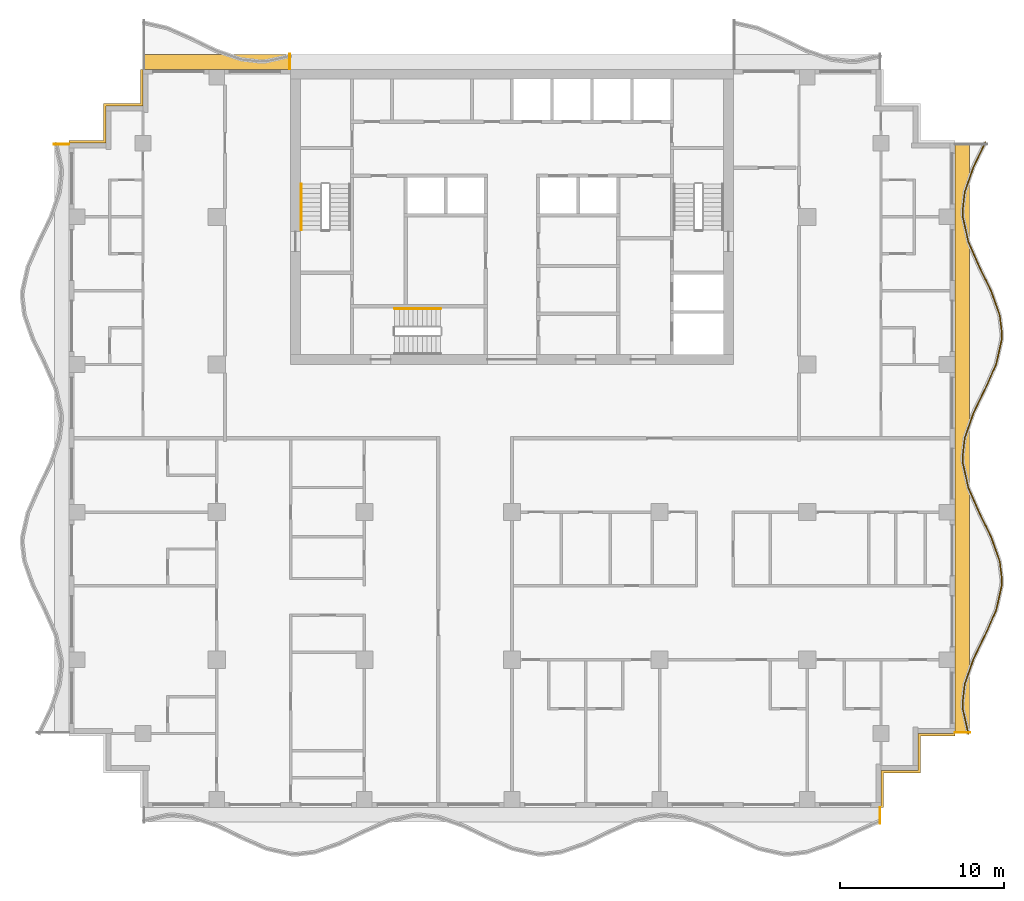
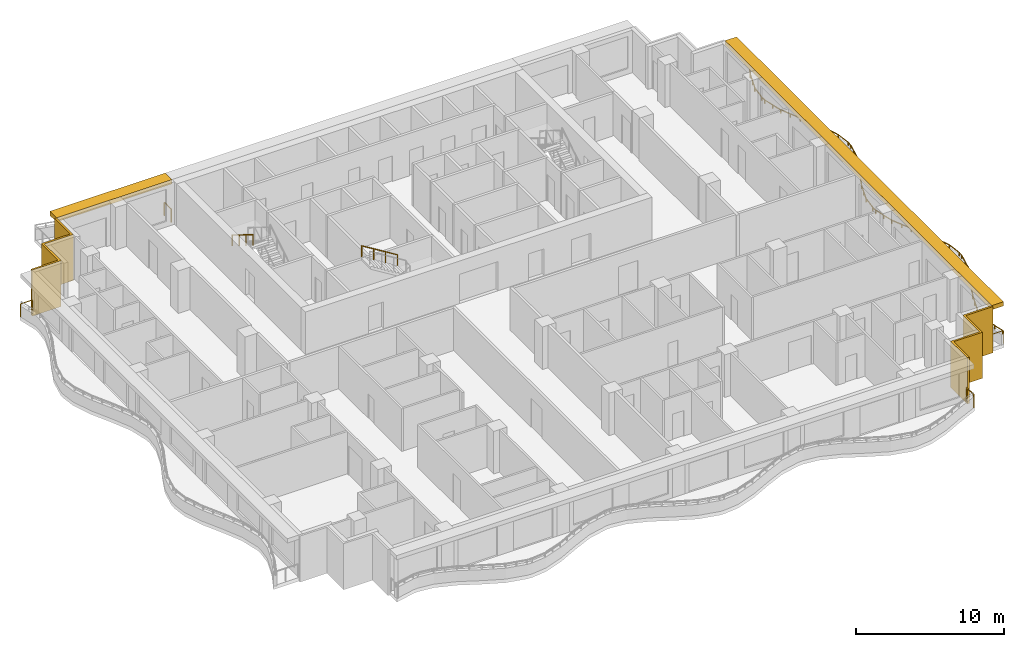
# One storey, part 10 of 11: 7 railings, 4 shading devices.
"""IFC4 building model written with IfcOpenShell, lengths in metres."""

import ifcopenshell
import ifcopenshell.guid

model = None  # the IFC model being written
_history = None  # IfcOwnerHistory: only IFC2X3 demands one
_inside = {}  # id of a spatial element -> (the spatial element, [elements in it])
_under = {}  # id of a project, library or spatial element -> (it, [spatial elements below it])
_declared = {}  # id of a project -> (the project, [libraries it declares])
_typed = {}  # id of a type object -> (the type object, [elements of that type])
_made_of = {}  # id of a material, layer set ... -> (it, [elements and type objects made of it])


def new_model(schema):
    """Start an empty IFC model of exactly this schema.

    Asked for "IFC4X3", IfcOpenShell would pick the latest addendum, in which some entities
    have other attributes; the version numbers below select the first issue.
    IFC2X3 requires an IfcOwnerHistory on every rooted entity: one is made here for all.
    """
    global model, _history
    if schema == "IFC4X3":
        model = ifcopenshell.file(schema_version=(4, 3, 0, 0))
    else:
        model = ifcopenshell.file(schema=schema)
    _inside.clear()
    _under.clear()
    _declared.clear()
    _typed.clear()
    _made_of.clear()
    _history = None
    if model.schema == "IFC2X3":
        org = make("IfcOrganization", Name="unknown")
        user = make(
            "IfcPersonAndOrganization",
            ThePerson=make("IfcPerson", FamilyName="unknown"),
            TheOrganization=org,
        )
        app = make(
            "IfcApplication",
            ApplicationDeveloper=org,
            Version="unknown",
            ApplicationFullName="unknown",
            ApplicationIdentifier="unknown",
        )
        _history = make(
            "IfcOwnerHistory",
            OwningUser=user,
            OwningApplication=app,
            ChangeAction="ADDED",
            CreationDate=0,
        )
    return model


def make(cls, **values):
    """One entity of the class cls with the attributes given. An attribute that is None is left unset."""
    return model.create_entity(
        cls, **{name: value for name, value in values.items() if value is not None}
    )


def rooted(cls, **values):
    """An entity with a GlobalId (a new one), such as an element, a storey or a relation."""
    return make(cls, GlobalId=ifcopenshell.guid.new(), OwnerHistory=_history, **values)


def si_unit(unit_type, name, prefix=None):
    """IfcSIUnit, for example si_unit("LENGTHUNIT", "METRE", prefix="MILLI")."""
    return make("IfcSIUnit", UnitType=unit_type, Prefix=prefix, Name=name)


def assignment(units):
    """IfcUnitAssignment: the units of a project."""
    return None if units is None else make("IfcUnitAssignment", Units=units)


def point(xyz):
    """IfcCartesianPoint."""
    return None if xyz is None else make("IfcCartesianPoint", Coordinates=xyz)


def direction(xyz):
    """IfcDirection."""
    return None if xyz is None else make("IfcDirection", DirectionRatios=xyz)


def frame(location, z_axis=None, x_axis=None):
    """IfcAxis2Placement3D, a coordinate frame: its origin and axes. An axis left out is left unset."""
    return make(
        "IfcAxis2Placement3D",
        Location=point(location),
        Axis=direction(z_axis),
        RefDirection=direction(x_axis),
    )


def frame_2d(location, x_axis=None):
    """IfcAxis2Placement2D, a coordinate frame in the plane: its origin and x axis."""
    return make(
        "IfcAxis2Placement2D", Location=point(location), RefDirection=direction(x_axis)
    )


def origin():
    """The frame at (0, 0, 0) with its axes left unset."""
    return frame((0.0, 0.0, 0.0))


def origin_2d():
    """The frame at (0, 0) in the plane with its x axis left unset."""
    return frame_2d((0.0, 0.0))


def place(relative_to, where):
    """IfcLocalPlacement: puts the frame where relative to a parent placement (None: the world)."""
    return make(
        "IfcLocalPlacement", PlacementRelTo=relative_to, RelativePlacement=where
    )


def context(
    kind, dimensions, precision=None, world=None, true_north=None, identifier=None
):
    """IfcGeometricRepresentationContext, for example the 3D "Model" context."""
    return make(
        "IfcGeometricRepresentationContext",
        ContextIdentifier=identifier,
        ContextType=kind,
        CoordinateSpaceDimension=dimensions,
        Precision=precision,
        WorldCoordinateSystem=world,
        TrueNorth=true_north,
    )


def subcontext(parent, identifier, kind, view, scale=None):
    """IfcGeometricRepresentationSubContext, for example "Body" below "Model"."""
    return make(
        "IfcGeometricRepresentationSubContext",
        ContextIdentifier=identifier,
        ContextType=kind,
        ParentContext=parent,
        TargetScale=scale,
        TargetView=view,
    )


def project(units=None, contexts=None):
    """IfcProject with its units and contexts."""
    return rooted(
        "IfcProject",
        Name="project",
        RepresentationContexts=contexts,
        UnitsInContext=assignment(units),
    )


def spatial(cls, under=None, at=None, **own):
    """A site, building, storey or space (cls), placed at a placement, below another one or the project."""
    s = rooted(cls, ObjectPlacement=at, **own)
    if under is not None:
        _under.setdefault(under.id(), (under, []))[1].append(s)
    return s


def polyline(points):
    """IfcPolyline through the points."""
    return make("IfcPolyline", Points=[point(p) for p in points])


def profile(cls, at=None, kind="AREA", **sizes):
    """A parametric profile (cls). Its sizes go by their IFC names, for example OverallWidth=200.0."""
    return make(cls, ProfileType=kind, Position=at, **sizes)


def rectangle(**sizes):
    """IfcRectangleProfileDef."""
    return profile("IfcRectangleProfileDef", **sizes)


def circle(**sizes):
    """IfcCircleProfileDef."""
    return profile("IfcCircleProfileDef", **sizes)


def outline(outer, holes=None, kind="AREA"):
    """IfcArbitraryClosedProfileDef: a profile drawn as a closed curve; with holes, ...WithVoids."""
    if holes is None:
        return make("IfcArbitraryClosedProfileDef", ProfileType=kind, OuterCurve=outer)
    return make(
        "IfcArbitraryProfileDefWithVoids",
        ProfileType=kind,
        OuterCurve=outer,
        InnerCurves=holes,
    )


def extrude(swept, where, along, depth):
    """IfcExtrudedAreaSolid: the profile swept, set in the frame where, extruded along a direction by depth."""
    return make(
        "IfcExtrudedAreaSolid",
        SweptArea=swept,
        Position=where,
        ExtrudedDirection=direction(along),
        Depth=depth,
    )


def shape(context_of_items, identifier, shape_type, items):
    """IfcShapeRepresentation: the items that make up one representation, for example the "Body"."""
    return make(
        "IfcShapeRepresentation",
        ContextOfItems=context_of_items,
        RepresentationIdentifier=identifier,
        RepresentationType=shape_type,
        Items=items,
    )


def material(Name=None, Category=None):
    """IfcMaterial."""
    return make("IfcMaterial", Name=Name, Category=Category)


def layer(
    of_material, thickness, ventilated=None, Name=None, Category=None, Priority=None
):
    """IfcMaterialLayer: one layer of a wall or slab, of a material (None: an air gap)."""
    return make(
        "IfcMaterialLayer",
        Material=of_material,
        LayerThickness=thickness,
        IsVentilated=ventilated,
        Name=Name,
        Category=Category,
        Priority=Priority,
    )


def layer_set(layers, Name=None):
    """IfcMaterialLayerSet."""
    return make("IfcMaterialLayerSet", MaterialLayers=layers, LayerSetName=Name)


def made_of(thing, what):
    """Note that an element or type object is made of a material, layer set ...; save() writes the relation."""
    if what is not None:
        _made_of.setdefault(what.id(), (what, []))[1].append(thing)
    return thing


def type_object(cls, material=None, **own):
    """A type object (cls), such as IfcWallType, which elements share."""
    return made_of(rooted(cls, **own), material)


def element(
    cls,
    number,
    at=None,
    inside=None,
    cuts=None,
    type_object=None,
    material=None,
    context=None,
    identifier="Body",
    shape_type=None,
    held_by="IfcProductDefinitionShape",
    body=None,
    shapes=None,
    **own,
):
    """One element of the class cls, such as IfcWall. Its Tag is "e" and its number.

    at: its placement. inside: the storey or other place that contains it. cuts: it is an
    opening in that element (IfcRelVoidsElement). A single representation is given by context,
    identifier, shape_type and body (its items); several are given by shapes. held_by: the class
    of the entity that holds the representations. save() writes the other relations.
    """
    e = rooted(cls, Tag="e%d" % number, ObjectPlacement=at, **own)
    if body is not None:
        shapes = [shape(context, identifier, shape_type, body)]
    if shapes is not None:
        e.Representation = make(held_by, Representations=shapes)
    if inside is not None:
        _inside.setdefault(inside.id(), (inside, []))[1].append(e)
    if cuts is not None:
        rooted(
            "IfcRelVoidsElement", RelatingBuildingElement=cuts, RelatedOpeningElement=e
        )
    if type_object is not None:
        _typed.setdefault(type_object.id(), (type_object, []))[1].append(e)
    return made_of(e, material)


def aggregate(whole, parts):
    """IfcRelAggregates: a whole, such as a stair, and the parts it consists of."""
    return rooted("IfcRelAggregates", RelatingObject=whole, RelatedObjects=parts)


def save(model, path):
    """Write the relations noted so far, then the file.

    IfcRelAggregates (storeys below a building ...), IfcRelContainedInSpatialStructure (elements
    in a storey), IfcRelDefinesByType, IfcRelAssociatesMaterial and IfcRelDeclares: one each for
    every whole, place, type object, material and project.
    """
    for whole, parts in _under.values():
        aggregate(whole, parts)
    for where, things in _inside.values():
        rooted(
            "IfcRelContainedInSpatialStructure",
            RelatedElements=things,
            RelatingStructure=where,
        )
    for kind, things in _typed.values():
        rooted("IfcRelDefinesByType", RelatedObjects=things, RelatingType=kind)
    for what, things in _made_of.values():
        rooted("IfcRelAssociatesMaterial", RelatedObjects=things, RelatingMaterial=what)
    for by, libraries in _declared.values():
        rooted("IfcRelDeclares", RelatingContext=by, RelatedDefinitions=libraries)
    model.write(path)


model = new_model("IFC4")

# Units and contexts
model_context = context("Model", 3, precision=1e-05, world=origin(), true_north=direction((0.0, 1.0)))
body_context = subcontext(model_context, "Body", "Model", "MODEL_VIEW")
ifc_project = project(units=[si_unit("LENGTHUNIT", "METRE"), si_unit("AREAUNIT", "SQUARE_METRE"), si_unit("VOLUMEUNIT", "CUBIC_METRE"), si_unit("PLANEANGLEUNIT", "RADIAN"), si_unit("MASSUNIT", "GRAM", prefix="KILO")], contexts=[model_context])

# Site, building, storey
site_placement = place(None, origin())
site = spatial("IfcSite", under=ifc_project, at=site_placement, CompositionType="ELEMENT")
building_placement = place(site_placement, origin())
building = spatial("IfcBuilding", under=site, at=building_placement, Name="Orbiselva Terraces", CompositionType="ELEMENT")
storey_placement = place(building_placement, frame((0.0, 0.0, 230.0)))
storey = spatial("IfcBuildingStorey", under=building, at=storey_placement, Name="L58", CompositionType="ELEMENT", Elevation=230.0)

# Railings
ifc_material_1 = material(Name="Stainless steel", Category="steel")
railing_type_1 = type_object("IfcRailingType", Name="CORE-HANDRAIL-900", PredefinedType="HANDRAIL", material=ifc_material_1)
railing_1_placement = place(storey_placement, frame((-12.85, 15.5, 2.072727)))
element("IfcRailing", 1, at=railing_1_placement, inside=storey, type_object=railing_type_1, Name="L58 S1 stair handrail 2", PredefinedType="HANDRAIL", context=body_context, shape_type="SweptSolid", body=[
    extrude(circle(Radius=0.024, at=origin_2d()), frame((0.0, 0.0, 0.876), z_axis=(0.0, -0.851088519012, 0.52502222125), x_axis=(1.0, 0.0, 0.0)), (0.0, 0.0, 1.0), 3.289905),
    extrude(circle(Radius=0.021, at=origin_2d()), origin(), (0.0, 0.0, 1.0), 0.852),
    extrude(circle(Radius=0.021, at=origin_2d()), frame((0.0, -0.933333, 0.575758)), (0.0, 0.0, 1.0), 0.852),
    extrude(circle(Radius=0.021, at=origin_2d()), frame((0.0, -1.866667, 1.151515)), (0.0, 0.0, 1.0), 0.852),
    extrude(circle(Radius=0.021, at=origin_2d()), frame((0.0, -2.8, 1.727273)), (0.0, 0.0, 1.0), 0.852),
])
railing_2_placement = place(storey_placement, frame((-4.35, 7.9, 2.072727)))
element("IfcRailing", 2, at=railing_2_placement, inside=storey, type_object=railing_type_1, Name="L58 S3 stair handrail 2", PredefinedType="HANDRAIL", context=body_context, shape_type="SweptSolid", body=[
    extrude(circle(Radius=0.024, at=origin_2d()), frame((0.0, 0.0, 0.876), z_axis=(-0.851088519012, 0.0, 0.52502222125), x_axis=(0.0, -1.0, 0.0)), (0.0, 0.0, 1.0), 3.289905),
    extrude(circle(Radius=0.021, at=origin_2d()), origin(), (0.0, 0.0, 1.0), 0.852),
    extrude(circle(Radius=0.021, at=origin_2d()), frame((-0.933333, 0.0, 0.575758)), (0.0, 0.0, 1.0), 0.852),
    extrude(circle(Radius=0.021, at=origin_2d()), frame((-1.866667, 0.0, 1.151515)), (0.0, 0.0, 1.0), 0.852),
    extrude(circle(Radius=0.021, at=origin_2d()), frame((-2.8, 0.0, 1.727273)), (0.0, 0.0, 1.0), 0.852),
])
ifc_material_2 = material(Name="Bonded two-ply safety glass balustrade, stainless steel posts", Category="steel")
railing_type_2 = type_object("IfcRailingType", Name="ENV-BALUSTRADE-1200", PredefinedType="BALUSTRADE", material=ifc_material_2)
railing_3_placement = place(storey_placement, frame((27.829507, -18.027377, 0.9)))
element("IfcRailing", 3, at=railing_3_placement, inside=storey, type_object=railing_type_2, Name="Balcony balustrade L58 E", PredefinedType="BALUSTRADE", context=body_context, shape_type="SweptSolid", body=[
    extrude(outline(polyline([(0.028868, 0.0), (0.014434, 0.025), (-0.014434, 0.025), (-0.028868, 0.0), (-0.014434, -0.025), (0.014434, -0.025), (0.028868, 0.0)])), frame((0.0, 0.0, 0.275), z_axis=(-0.219015484484, 0.97572138316, 0.0), x_axis=(-0.97572138316, -0.219015484484, 0.0)), (0.0, 0.0, 1.0), 1.548694),
    extrude(outline(polyline([(0.028868, 0.0), (0.014434, 0.025), (-0.014434, 0.025), (-0.028868, 0.0), (-0.014434, -0.025), (0.014434, -0.025), (0.028868, 0.0)])), frame((-0.339188, 1.511094, 0.275), z_axis=(-0.03936915532, 0.999224734286, 0.0), x_axis=(-0.999224734286, -0.03936915532, 0.0)), (0.0, 0.0, 1.0), 0.396376),
    extrude(outline(polyline([(0.028868, 0.0), (0.014434, 0.025), (-0.014434, 0.025), (-0.028868, 0.0), (-0.014434, -0.025), (0.014434, -0.025), (0.028868, 0.0)])), frame((-0.354793, 1.907163, 0.275), z_axis=(0.115482182324, 0.993309551734, 0.0), x_axis=(-0.993309551734, 0.115482182324, 0.0)), (0.0, 0.0, 1.0), 1.156135),
    extrude(outline(polyline([(0.028868, 0.0), (0.014434, 0.025), (-0.014434, 0.025), (-0.028868, 0.0), (-0.014434, -0.025), (0.014434, -0.025), (0.028868, 0.0)])), frame((-0.22128, 3.055563, 0.275), z_axis=(0.330024597479, 0.943972332783, 0.0), x_axis=(-0.943972332783, 0.330024597479, 0.0)), (0.0, 0.0, 1.0), 1.610253),
    extrude(outline(polyline([(0.028868, 0.0), (0.014434, 0.025), (-0.014434, 0.025), (-0.028868, 0.0), (-0.014434, -0.025), (0.014434, -0.025), (0.028868, 0.0)])), frame((0.310143, 4.575597, 0.275), z_axis=(0.438812048596, 0.898578870221, 0.0), x_axis=(-0.898578870221, 0.438812048596, 0.0)), (0.0, 0.0, 1.0), 1.674225),
    extrude(outline(polyline([(0.028868, 0.0), (0.014434, 0.025), (-0.014434, 0.025), (-0.028868, 0.0), (-0.014434, -0.025), (0.014434, -0.025), (0.028868, 0.0)])), frame((1.044813, 6.08002, 0.275), z_axis=(0.403151245402, 0.915133363686, 0.0), x_axis=(-0.915133363686, 0.403151245402, 0.0)), (0.0, 0.0, 1.0), 1.624475),
    extrude(outline(polyline([(0.028868, 0.0), (0.014434, 0.025), (-0.014434, 0.025), (-0.028868, 0.0), (-0.014434, -0.025), (0.014434, -0.025), (0.028868, 0.0)])), frame((1.699722, 7.566631, 0.275), z_axis=(0.219015740235, 0.975721325753, 0.0), x_axis=(-0.975721325753, 0.219015740235, 0.0)), (0.0, 0.0, 1.0), 1.513782),
    extrude(outline(polyline([(0.028868, 0.0), (0.014434, 0.025), (-0.014434, 0.025), (-0.028868, 0.0), (-0.014434, -0.025), (0.014434, -0.025), (0.028868, 0.0)])), frame((2.031264, 9.04366, 0.275), z_axis=(0.039364150694, 0.999224931454, 0.0), x_axis=(-0.999224931454, 0.039364150694, 0.0)), (0.0, 0.0, 1.0), 0.354206),
    extrude(outline(polyline([(0.028868, 0.0), (0.014434, 0.025), (-0.014434, 0.025), (-0.028868, 0.0), (-0.014434, -0.025), (0.014434, -0.025), (0.028868, 0.0)])), frame((2.045207, 9.397591, 0.275), z_axis=(-0.115481264762, 0.993309658409, 0.0), x_axis=(-0.993309658409, -0.115481264762, 0.0)), (0.0, 0.0, 1.0), 1.10902),
    extrude(outline(polyline([(0.028868, 0.0), (0.014434, 0.025), (-0.014434, 0.025), (-0.028868, 0.0), (-0.014434, -0.025), (0.014434, -0.025), (0.028868, 0.0)])), frame((1.917136, 10.499191, 0.275), z_axis=(-0.330024754707, 0.943972277814, 0.0), x_axis=(-0.943972277814, -0.330024754707, 0.0)), (0.0, 0.0, 1.0), 1.567807),
    extrude(outline(polyline([(0.028868, 0.0), (0.014434, 0.025), (-0.014434, 0.025), (-0.028868, 0.0), (-0.014434, -0.025), (0.014434, -0.025), (0.028868, 0.0)])), frame((1.399721, 11.979157, 0.275), z_axis=(-0.438811978768, 0.89857890432, 0.0), x_axis=(-0.89857890432, -0.438811978768, 0.0)), (0.0, 0.0, 1.0), 1.66438),
    extrude(outline(polyline([(0.028868, 0.0), (0.014434, 0.025), (-0.014434, 0.025), (-0.028868, 0.0), (-0.014434, -0.025), (0.014434, -0.025), (0.028868, 0.0)])), frame((0.669371, 13.474734, 0.275), z_axis=(-0.403150874148, 0.915133527237, 0.0), x_axis=(-0.915133527237, -0.403150874148, 0.0)), (0.0, 0.0, 1.0), 1.653736),
    extrude(outline(polyline([(0.028868, 0.0), (0.014434, 0.025), (-0.014434, 0.025), (-0.028868, 0.0), (-0.014434, -0.025), (0.014434, -0.025), (0.028868, 0.0)])), frame((0.002666, 14.988123, 0.275), z_axis=(-0.219015500924, 0.97572137947, 0.0), x_axis=(-0.97572137947, -0.219015500924, 0.0)), (0.0, 0.0, 1.0), 1.560867),
    extrude(outline(polyline([(0.028868, 0.0), (0.014434, 0.025), (-0.014434, 0.025), (-0.028868, 0.0), (-0.014434, -0.025), (0.014434, -0.025), (0.028868, 0.0)])), frame((-0.339188, 16.511094, 0.275), z_axis=(-0.03936915532, 0.999224734286, 0.0), x_axis=(-0.999224734286, -0.03936915532, 0.0)), (0.0, 0.0, 1.0), 0.396376),
    extrude(outline(polyline([(0.028868, 0.0), (0.014434, 0.025), (-0.014434, 0.025), (-0.028868, 0.0), (-0.014434, -0.025), (0.014434, -0.025), (0.028868, 0.0)])), frame((-0.354793, 16.907163, 0.275), z_axis=(0.115482182324, 0.993309551734, 0.0), x_axis=(-0.993309551734, 0.115482182324, 0.0)), (0.0, 0.0, 1.0), 1.156135),
    extrude(outline(polyline([(0.028868, 0.0), (0.014434, 0.025), (-0.014434, 0.025), (-0.028868, 0.0), (-0.014434, -0.025), (0.014434, -0.025), (0.028868, 0.0)])), frame((-0.22128, 18.055563, 0.275), z_axis=(0.330024597479, 0.943972332783, 0.0), x_axis=(-0.943972332783, 0.330024597479, 0.0)), (0.0, 0.0, 1.0), 1.610253),
    extrude(outline(polyline([(0.028868, 0.0), (0.014434, 0.025), (-0.014434, 0.025), (-0.028868, 0.0), (-0.014434, -0.025), (0.014434, -0.025), (0.028868, 0.0)])), frame((0.310143, 19.575597, 0.275), z_axis=(0.438812048596, 0.898578870221, 0.0), x_axis=(-0.898578870221, 0.438812048596, 0.0)), (0.0, 0.0, 1.0), 1.674225),
    extrude(outline(polyline([(0.028868, 0.0), (0.014434, 0.025), (-0.014434, 0.025), (-0.028868, 0.0), (-0.014434, -0.025), (0.014434, -0.025), (0.028868, 0.0)])), frame((1.044813, 21.08002, 0.275), z_axis=(0.403151245402, 0.915133363686, 0.0), x_axis=(-0.915133363686, 0.403151245402, 0.0)), (0.0, 0.0, 1.0), 1.624475),
    extrude(outline(polyline([(0.028868, 0.0), (0.014434, 0.025), (-0.014434, 0.025), (-0.028868, 0.0), (-0.014434, -0.025), (0.014434, -0.025), (0.028868, 0.0)])), frame((1.699722, 22.566631, 0.275), z_axis=(0.219015740235, 0.975721325753, 0.0), x_axis=(-0.975721325753, 0.219015740235, 0.0)), (0.0, 0.0, 1.0), 1.513782),
    extrude(outline(polyline([(0.028868, 0.0), (0.014434, 0.025), (-0.014434, 0.025), (-0.028868, 0.0), (-0.014434, -0.025), (0.014434, -0.025), (0.028868, 0.0)])), frame((2.031264, 24.04366, 0.275), z_axis=(0.039364150694, 0.999224931454, 0.0), x_axis=(-0.999224931454, 0.039364150694, 0.0)), (0.0, 0.0, 1.0), 0.354206),
    extrude(outline(polyline([(0.028868, 0.0), (0.014434, 0.025), (-0.014434, 0.025), (-0.028868, 0.0), (-0.014434, -0.025), (0.014434, -0.025), (0.028868, 0.0)])), frame((2.045207, 24.397591, 0.275), z_axis=(-0.115481264762, 0.993309658409, 0.0), x_axis=(-0.993309658409, -0.115481264762, 0.0)), (0.0, 0.0, 1.0), 1.10902),
    extrude(outline(polyline([(0.028868, 0.0), (0.014434, 0.025), (-0.014434, 0.025), (-0.028868, 0.0), (-0.014434, -0.025), (0.014434, -0.025), (0.028868, 0.0)])), frame((1.917136, 25.499191, 0.275), z_axis=(-0.330024754707, 0.943972277814, 0.0), x_axis=(-0.943972277814, -0.330024754707, 0.0)), (0.0, 0.0, 1.0), 1.567807),
    extrude(outline(polyline([(0.028868, 0.0), (0.014434, 0.025), (-0.014434, 0.025), (-0.028868, 0.0), (-0.014434, -0.025), (0.014434, -0.025), (0.028868, 0.0)])), frame((1.399721, 26.979157, 0.275), z_axis=(-0.438811978768, 0.89857890432, 0.0), x_axis=(-0.89857890432, -0.438811978768, 0.0)), (0.0, 0.0, 1.0), 1.66438),
    extrude(outline(polyline([(0.028868, 0.0), (0.014434, 0.025), (-0.014434, 0.025), (-0.028868, 0.0), (-0.014434, -0.025), (0.014434, -0.025), (0.028868, 0.0)])), frame((0.669371, 28.474734, 0.275), z_axis=(-0.403150874148, 0.915133527237, 0.0), x_axis=(-0.915133527237, -0.403150874148, 0.0)), (0.0, 0.0, 1.0), 1.653736),
    extrude(outline(polyline([(0.028868, 0.0), (0.014434, 0.025), (-0.014434, 0.025), (-0.028868, 0.0), (-0.014434, -0.025), (0.014434, -0.025), (0.028868, 0.0)])), frame((0.002666, 29.988123, 0.275), z_axis=(-0.219015500924, 0.97572137947, 0.0), x_axis=(-0.97572137947, -0.219015500924, 0.0)), (0.0, 0.0, 1.0), 1.560867),
    extrude(outline(polyline([(0.028868, 0.0), (0.014434, 0.025), (-0.014434, 0.025), (-0.028868, 0.0), (-0.014434, -0.025), (0.014434, -0.025), (0.028868, 0.0)])), frame((-0.339188, 31.511094, 0.275), z_axis=(-0.03936915532, 0.999224734286, 0.0), x_axis=(-0.999224734286, -0.03936915532, 0.0)), (0.0, 0.0, 1.0), 0.396376),
    extrude(outline(polyline([(0.028868, 0.0), (0.014434, 0.025), (-0.014434, 0.025), (-0.028868, 0.0), (-0.014434, -0.025), (0.014434, -0.025), (0.028868, 0.0)])), frame((-0.354793, 31.907163, 0.275), z_axis=(0.115482182324, 0.993309551734, 0.0), x_axis=(-0.993309551734, 0.115482182324, 0.0)), (0.0, 0.0, 1.0), 1.156135),
    extrude(outline(polyline([(0.028868, 0.0), (0.014434, 0.025), (-0.014434, 0.025), (-0.028868, 0.0), (-0.014434, -0.025), (0.014434, -0.025), (0.028868, 0.0)])), frame((-0.22128, 33.055563, 0.275), z_axis=(0.330024597479, 0.943972332783, 0.0), x_axis=(-0.943972332783, 0.330024597479, 0.0)), (0.0, 0.0, 1.0), 1.610253),
    extrude(outline(polyline([(0.028868, 0.0), (0.014434, 0.025), (-0.014434, 0.025), (-0.028868, 0.0), (-0.014434, -0.025), (0.014434, -0.025), (0.028868, 0.0)])), frame((0.310143, 34.575597, 0.275), z_axis=(0.43881217228, 0.898578809821, 0.0), x_axis=(-0.898578809821, 0.43881217228, 0.0)), (0.0, 0.0, 1.0), 1.676683),
    extrude(rectangle(XDim=0.05, YDim=0.05, at=origin_2d()), origin(), (0.0, 0.0, 1.0), 0.25),
    extrude(rectangle(XDim=0.05, YDim=0.05, at=origin_2d()), frame((-0.169594, 0.755547, 0.0)), (0.0, 0.0, 1.0), 0.25),
    extrude(rectangle(XDim=0.05, YDim=0.05, at=origin_2d()), frame((-0.339188, 1.511094, 0.0)), (0.0, 0.0, 1.0), 0.25),
    extrude(rectangle(XDim=0.05, YDim=0.05, at=origin_2d()), frame((-0.354793, 1.907163, 0.0)), (0.0, 0.0, 1.0), 0.25),
    extrude(rectangle(XDim=0.05, YDim=0.05, at=origin_2d()), frame((-0.22128, 3.055563, 0.0)), (0.0, 0.0, 1.0), 0.25),
    extrude(rectangle(XDim=0.05, YDim=0.05, at=origin_2d()), frame((0.044431, 3.81558, 0.0)), (0.0, 0.0, 1.0), 0.25),
    extrude(rectangle(XDim=0.05, YDim=0.05, at=origin_2d()), frame((0.310143, 4.575597, 0.0)), (0.0, 0.0, 1.0), 0.25),
    extrude(rectangle(XDim=0.05, YDim=0.05, at=origin_2d()), frame((0.677478, 5.327809, 0.0)), (0.0, 0.0, 1.0), 0.25),
    extrude(rectangle(XDim=0.05, YDim=0.05, at=origin_2d()), frame((1.044813, 6.08002, 0.0)), (0.0, 0.0, 1.0), 0.25),
    extrude(rectangle(XDim=0.05, YDim=0.05, at=origin_2d()), frame((1.372268, 6.823326, 0.0)), (0.0, 0.0, 1.0), 0.25),
    extrude(rectangle(XDim=0.05, YDim=0.05, at=origin_2d()), frame((1.699722, 7.566631, 0.0)), (0.0, 0.0, 1.0), 0.25),
    extrude(rectangle(XDim=0.05, YDim=0.05, at=origin_2d()), frame((1.865493, 8.305146, 0.0)), (0.0, 0.0, 1.0), 0.25),
    extrude(rectangle(XDim=0.05, YDim=0.05, at=origin_2d()), frame((2.031264, 9.04366, 0.0)), (0.0, 0.0, 1.0), 0.25),
    extrude(rectangle(XDim=0.05, YDim=0.05, at=origin_2d()), frame((2.045207, 9.397591, 0.0)), (0.0, 0.0, 1.0), 0.25),
    extrude(rectangle(XDim=0.05, YDim=0.05, at=origin_2d()), frame((1.917136, 10.499191, 0.0)), (0.0, 0.0, 1.0), 0.25),
    extrude(rectangle(XDim=0.05, YDim=0.05, at=origin_2d()), frame((1.658428, 11.239174, 0.0)), (0.0, 0.0, 1.0), 0.25),
    extrude(rectangle(XDim=0.05, YDim=0.05, at=origin_2d()), frame((1.399721, 11.979157, 0.0)), (0.0, 0.0, 1.0), 0.25),
    extrude(rectangle(XDim=0.05, YDim=0.05, at=origin_2d()), frame((1.034546, 12.726946, 0.0)), (0.0, 0.0, 1.0), 0.25),
    extrude(rectangle(XDim=0.05, YDim=0.05, at=origin_2d()), frame((0.669371, 13.474734, 0.0)), (0.0, 0.0, 1.0), 0.25),
    extrude(rectangle(XDim=0.05, YDim=0.05, at=origin_2d()), frame((0.336019, 14.231429, 0.0)), (0.0, 0.0, 1.0), 0.25),
    extrude(rectangle(XDim=0.05, YDim=0.05, at=origin_2d()), frame((0.002666, 14.988123, 0.0)), (0.0, 0.0, 1.0), 0.25),
    extrude(rectangle(XDim=0.05, YDim=0.05, at=origin_2d()), frame((-0.168261, 15.749608, 0.0)), (0.0, 0.0, 1.0), 0.25),
    extrude(rectangle(XDim=0.05, YDim=0.05, at=origin_2d()), frame((-0.339188, 16.511094, 0.0)), (0.0, 0.0, 1.0), 0.25),
    extrude(rectangle(XDim=0.05, YDim=0.05, at=origin_2d()), frame((-0.354793, 16.907163, 0.0)), (0.0, 0.0, 1.0), 0.25),
    extrude(rectangle(XDim=0.05, YDim=0.05, at=origin_2d()), frame((-0.22128, 18.055563, 0.0)), (0.0, 0.0, 1.0), 0.25),
    extrude(rectangle(XDim=0.05, YDim=0.05, at=origin_2d()), frame((0.044431, 18.81558, 0.0)), (0.0, 0.0, 1.0), 0.25),
    extrude(rectangle(XDim=0.05, YDim=0.05, at=origin_2d()), frame((0.310143, 19.575597, 0.0)), (0.0, 0.0, 1.0), 0.25),
    extrude(rectangle(XDim=0.05, YDim=0.05, at=origin_2d()), frame((0.677478, 20.327809, 0.0)), (0.0, 0.0, 1.0), 0.25),
    extrude(rectangle(XDim=0.05, YDim=0.05, at=origin_2d()), frame((1.044813, 21.08002, 0.0)), (0.0, 0.0, 1.0), 0.25),
    extrude(rectangle(XDim=0.05, YDim=0.05, at=origin_2d()), frame((1.372268, 21.823326, 0.0)), (0.0, 0.0, 1.0), 0.25),
    extrude(rectangle(XDim=0.05, YDim=0.05, at=origin_2d()), frame((1.699722, 22.566631, 0.0)), (0.0, 0.0, 1.0), 0.25),
    extrude(rectangle(XDim=0.05, YDim=0.05, at=origin_2d()), frame((1.865493, 23.305146, 0.0)), (0.0, 0.0, 1.0), 0.25),
    extrude(rectangle(XDim=0.05, YDim=0.05, at=origin_2d()), frame((2.031264, 24.04366, 0.0)), (0.0, 0.0, 1.0), 0.25),
    extrude(rectangle(XDim=0.05, YDim=0.05, at=origin_2d()), frame((2.045207, 24.397591, 0.0)), (0.0, 0.0, 1.0), 0.25),
    extrude(rectangle(XDim=0.05, YDim=0.05, at=origin_2d()), frame((1.917136, 25.499191, 0.0)), (0.0, 0.0, 1.0), 0.25),
    extrude(rectangle(XDim=0.05, YDim=0.05, at=origin_2d()), frame((1.658428, 26.239174, 0.0)), (0.0, 0.0, 1.0), 0.25),
    extrude(rectangle(XDim=0.05, YDim=0.05, at=origin_2d()), frame((1.399721, 26.979157, 0.0)), (0.0, 0.0, 1.0), 0.25),
    extrude(rectangle(XDim=0.05, YDim=0.05, at=origin_2d()), frame((1.034546, 27.726946, 0.0)), (0.0, 0.0, 1.0), 0.25),
    extrude(rectangle(XDim=0.05, YDim=0.05, at=origin_2d()), frame((0.669371, 28.474734, 0.0)), (0.0, 0.0, 1.0), 0.25),
    extrude(rectangle(XDim=0.05, YDim=0.05, at=origin_2d()), frame((0.336019, 29.231428, 0.0)), (0.0, 0.0, 1.0), 0.25),
    extrude(rectangle(XDim=0.05, YDim=0.05, at=origin_2d()), frame((0.002666, 29.988123, 0.0)), (0.0, 0.0, 1.0), 0.25),
    extrude(rectangle(XDim=0.05, YDim=0.05, at=origin_2d()), frame((-0.168261, 30.749608, 0.0)), (0.0, 0.0, 1.0), 0.25),
    extrude(rectangle(XDim=0.05, YDim=0.05, at=origin_2d()), frame((-0.339188, 31.511094, 0.0)), (0.0, 0.0, 1.0), 0.25),
    extrude(rectangle(XDim=0.05, YDim=0.05, at=origin_2d()), frame((-0.354793, 31.907163, 0.0)), (0.0, 0.0, 1.0), 0.25),
    extrude(rectangle(XDim=0.05, YDim=0.05, at=origin_2d()), frame((-0.22128, 33.055563, 0.0)), (0.0, 0.0, 1.0), 0.25),
    extrude(rectangle(XDim=0.05, YDim=0.05, at=origin_2d()), frame((0.044431, 33.81558, 0.0)), (0.0, 0.0, 1.0), 0.25),
    extrude(rectangle(XDim=0.05, YDim=0.05, at=origin_2d()), frame((0.310143, 34.575597, 0.0)), (0.0, 0.0, 1.0), 0.25),
    extrude(rectangle(XDim=0.05, YDim=0.05, at=origin_2d()), frame((0.678018, 35.328913, 0.0)), (0.0, 0.0, 1.0), 0.25),
    extrude(rectangle(XDim=0.05, YDim=0.05, at=origin_2d()), frame((1.045892, 36.082229, 0.0)), (0.0, 0.0, 1.0), 0.25),
])
ifc_material_3 = material(Name="Stainless steel rail and posts", Category="steel")
railing_type_3 = type_object("IfcRailingType", Name="ENV-GUARD-1105", PredefinedType="BALUSTRADE", material=ifc_material_3)
railing_4_placement = place(storey_placement, frame((22.44, -23.473063, 0.0)))
element("IfcRailing", 4, at=railing_4_placement, inside=storey, type_object=railing_type_3, Name="Balcony end guard L58 S", PredefinedType="BALUSTRADE", context=body_context, shape_type="SweptSolid", body=[
    extrude(outline(polyline([(0.028868, 0.0), (0.014434, 0.025), (-0.014434, 0.025), (-0.028868, 0.0), (-0.014434, -0.025), (0.014434, -0.025), (0.028868, 0.0)])), frame((0.0, 0.0, 1.08), z_axis=(0.0, 1.0, 0.0), x_axis=(-1.0, 0.0, 0.0)), (0.0, 0.0, 1.0), 0.948063),
    extrude(rectangle(XDim=0.05, YDim=0.05, at=origin_2d()), origin(), (0.0, 0.0, 1.0), 1.055),
    extrude(rectangle(XDim=0.05, YDim=0.05, at=origin_2d()), frame((0.0, 0.948063, 0.0)), (0.0, 0.0, 1.0), 1.055),
])
railing_5_placement = place(storey_placement, frame((27.930416, -17.94, 0.0)))
element("IfcRailing", 5, at=railing_5_placement, inside=storey, type_object=railing_type_3, Name="Balcony end guard L58 E", PredefinedType="BALUSTRADE", context=body_context, shape_type="SweptSolid", body=[
    extrude(outline(polyline([(0.028868, 0.0), (0.014434, 0.025), (-0.014434, 0.025), (-0.028868, 0.0), (-0.014434, -0.025), (0.014434, -0.025), (0.028868, 0.0)])), frame((0.0, 0.0, 1.08), z_axis=(-1.0, 0.0, 0.0), x_axis=(0.0, -1.0, 0.0)), (0.0, 0.0, 1.0), 0.905416),
    extrude(rectangle(XDim=0.05, YDim=0.05, at=origin_2d()), origin(), (0.0, 0.0, 1.0), 1.055),
    extrude(rectangle(XDim=0.05, YDim=0.05, at=origin_2d()), frame((-0.905416, 0.0, 0.0)), (0.0, 0.0, 1.0), 1.055),
])
railing_6_placement = place(storey_placement, frame((-13.56, 23.430416, 0.0)))
element("IfcRailing", 6, at=railing_6_placement, inside=storey, type_object=railing_type_3, Name="Balcony end guard L58 NW", PredefinedType="BALUSTRADE", context=body_context, shape_type="SweptSolid", body=[
    extrude(outline(polyline([(0.028868, 0.0), (0.014434, 0.025), (-0.014434, 0.025), (-0.028868, 0.0), (-0.014434, -0.025), (0.014434, -0.025), (0.028868, 0.0)])), frame((0.0, 0.0, 1.08), z_axis=(0.0, -1.0, 0.0), x_axis=(1.0, 0.0, 0.0)), (0.0, 0.0, 1.0), 0.905416),
    extrude(rectangle(XDim=0.05, YDim=0.05, at=origin_2d()), origin(), (0.0, 0.0, 1.0), 1.055),
    extrude(rectangle(XDim=0.05, YDim=0.05, at=origin_2d()), frame((0.0, -0.905416, 0.0)), (0.0, 0.0, 1.0), 1.055),
])
railing_7_placement = place(storey_placement, frame((-27.930416, 17.94, 0.0)))
element("IfcRailing", 7, at=railing_7_placement, inside=storey, type_object=railing_type_3, Name="Balcony end guard L58 W", PredefinedType="BALUSTRADE", context=body_context, shape_type="SweptSolid", body=[
    extrude(outline(polyline([(0.028868, 0.0), (0.014434, 0.025), (-0.014434, 0.025), (-0.028868, 0.0), (-0.014434, -0.025), (0.014434, -0.025), (0.028868, 0.0)])), frame((0.0, 0.0, 1.08), z_axis=(1.0, 0.0, 0.0), x_axis=(0.0, 1.0, 0.0)), (0.0, 0.0, 1.0), 0.905416),
    extrude(rectangle(XDim=0.05, YDim=0.05, at=origin_2d()), origin(), (0.0, 0.0, 1.0), 1.055),
    extrude(rectangle(XDim=0.05, YDim=0.05, at=origin_2d()), frame((0.905416, 0.0, 0.0)), (0.0, 0.0, 1.0), 1.055),
])

# Shading devices
ifc_material_4 = material(Name="Terracotta louvre screen", Category="masonry")
ifc_layer_1 = layer(ifc_material_4, 0.15)
ifc_layer_set_1 = layer_set([ifc_layer_1], Name="Terracotta louvre screen")
shading_device_type_1 = type_object("IfcShadingDeviceType", Name="ENV-SCREEN-150", PredefinedType="USERDEFINED", material=ifc_layer_set_1)
shading_device_1_placement = place(storey_placement, frame((0.0, 0.0, -0.3)))
element("IfcShadingDevice", 8, at=shading_device_1_placement, inside=storey, type_object=shading_device_type_1, Name="Louvre screen L58 NW", ObjectType="SCREEN", PredefinedType="USERDEFINED", context=body_context, shape_type="SweptSolid", body=[
    extrude(outline(polyline([(-22.65, 22.5), (-22.65, 20.4), (-24.9, 20.4), (-24.9, 18.15), (-27.0, 18.15), (-27.0, 18.0), (-24.75, 18.0), (-24.75, 20.25), (-22.5, 20.25), (-22.5, 22.5), (-22.65, 22.5)])), origin(), (0.0, 0.0, 1.0), 3.8),
])
shading_device_2_placement = place(storey_placement, frame((0.0, 0.0, -0.3)))
element("IfcShadingDevice", 9, at=shading_device_2_placement, inside=storey, type_object=shading_device_type_1, Name="Louvre screen L58 SE", ObjectType="SCREEN", PredefinedType="USERDEFINED", context=body_context, shape_type="SweptSolid", body=[
    extrude(outline(polyline([(22.65, -22.5), (22.65, -20.4), (24.9, -20.4), (24.9, -18.15), (27.0, -18.15), (27.0, -18.0), (24.75, -18.0), (24.75, -20.25), (22.5, -20.25), (22.5, -22.5), (22.65, -22.5)])), origin(), (0.0, 0.0, 1.0), 3.8),
])
ifc_material_5 = material(Name="Terracotta baguette sunshade", Category="masonry")
ifc_layer_2 = layer(ifc_material_5, 0.35)
ifc_layer_set_2 = layer_set([ifc_layer_2], Name="Terracotta baguette sunshade")
shading_device_type_2 = type_object("IfcShadingDeviceType", Name="ENV-SUNSHADE-900x350", PredefinedType="USERDEFINED", material=ifc_layer_set_2)
shading_device_3_placement = place(storey_placement, frame((0.0, 0.0, 3.15)))
element("IfcShadingDevice", 10, at=shading_device_3_placement, inside=storey, type_object=shading_device_type_2, Name="Sunshade band L58 E", ObjectType="SUNSHADE", PredefinedType="USERDEFINED", context=body_context, shape_type="SweptSolid", body=[
    extrude(outline(polyline([(27.9, -18.0), (27.9, 18.0), (27.0, 18.0), (27.0, -18.0), (27.9, -18.0)])), origin(), (0.0, 0.0, 1.0), 0.35),
])
shading_device_4_placement = place(storey_placement, frame((0.0, 0.0, 3.15)))
element("IfcShadingDevice", 11, at=shading_device_4_placement, inside=storey, type_object=shading_device_type_2, Name="Sunshade band L58 NW", ObjectType="SUNSHADE", PredefinedType="USERDEFINED", context=body_context, shape_type="SweptSolid", body=[
    extrude(outline(polyline([(-13.5, 23.4), (-22.5, 23.4), (-22.5, 22.5), (-13.5, 22.5), (-13.5, 23.4)])), origin(), (0.0, 0.0, 1.0), 0.35),
])

save(model, "model.ifc")
